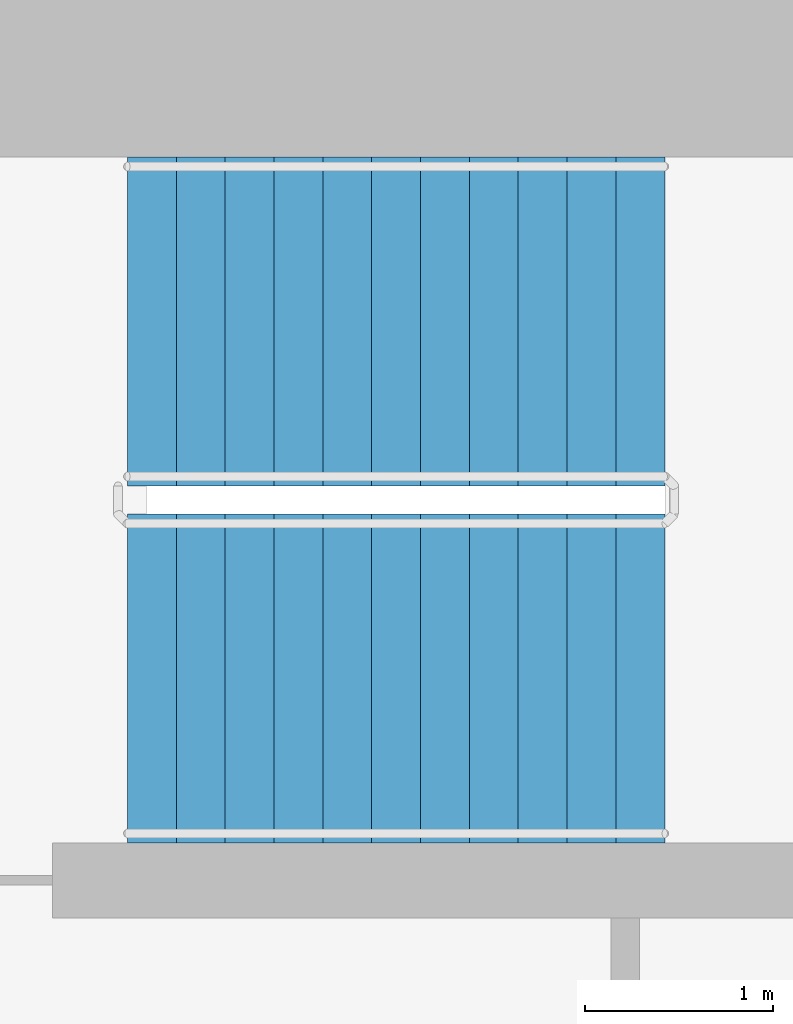
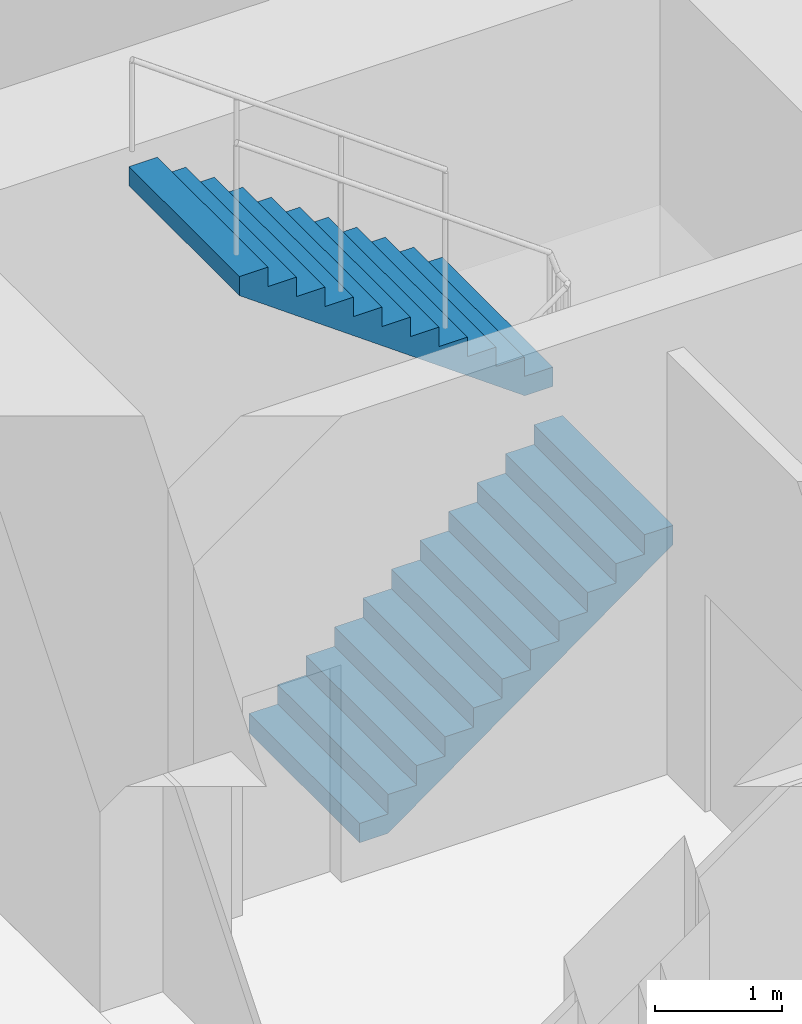
# One storey, part 33 of 49: 2 stair flights, 1 element without a shape of its own.
"""IFC4 building model written with IfcOpenShell, lengths in metres."""

import ifcopenshell
import ifcopenshell.guid

model = None  # the IFC model being written
_history = None  # IfcOwnerHistory: only IFC2X3 demands one
_inside = {}  # id of a spatial element -> (the spatial element, [elements in it])
_under = {}  # id of a project, library or spatial element -> (it, [spatial elements below it])
_declared = {}  # id of a project -> (the project, [libraries it declares])
_typed = {}  # id of a type object -> (the type object, [elements of that type])
_made_of = {}  # id of a material, layer set ... -> (it, [elements and type objects made of it])


def new_model(schema):
    """Start an empty IFC model of exactly this schema.

    Asked for "IFC4X3", IfcOpenShell would pick the latest addendum, in which some entities
    have other attributes; the version numbers below select the first issue.
    IFC2X3 requires an IfcOwnerHistory on every rooted entity: one is made here for all.
    """
    global model, _history
    if schema == "IFC4X3":
        model = ifcopenshell.file(schema_version=(4, 3, 0, 0))
    else:
        model = ifcopenshell.file(schema=schema)
    _inside.clear()
    _under.clear()
    _declared.clear()
    _typed.clear()
    _made_of.clear()
    _history = None
    if model.schema == "IFC2X3":
        org = make("IfcOrganization", Name="unknown")
        user = make(
            "IfcPersonAndOrganization",
            ThePerson=make("IfcPerson", FamilyName="unknown"),
            TheOrganization=org,
        )
        app = make(
            "IfcApplication",
            ApplicationDeveloper=org,
            Version="unknown",
            ApplicationFullName="unknown",
            ApplicationIdentifier="unknown",
        )
        _history = make(
            "IfcOwnerHistory",
            OwningUser=user,
            OwningApplication=app,
            ChangeAction="ADDED",
            CreationDate=0,
        )
    return model


def make(cls, **values):
    """One entity of the class cls with the attributes given. An attribute that is None is left unset."""
    return model.create_entity(
        cls, **{name: value for name, value in values.items() if value is not None}
    )


def rooted(cls, **values):
    """An entity with a GlobalId (a new one), such as an element, a storey or a relation."""
    return make(cls, GlobalId=ifcopenshell.guid.new(), OwnerHistory=_history, **values)


def si_unit(unit_type, name, prefix=None):
    """IfcSIUnit, for example si_unit("LENGTHUNIT", "METRE", prefix="MILLI")."""
    return make("IfcSIUnit", UnitType=unit_type, Prefix=prefix, Name=name)


def assignment(units):
    """IfcUnitAssignment: the units of a project."""
    return None if units is None else make("IfcUnitAssignment", Units=units)


def point(xyz):
    """IfcCartesianPoint."""
    return None if xyz is None else make("IfcCartesianPoint", Coordinates=xyz)


def direction(xyz):
    """IfcDirection."""
    return None if xyz is None else make("IfcDirection", DirectionRatios=xyz)


def frame(location, z_axis=None, x_axis=None):
    """IfcAxis2Placement3D, a coordinate frame: its origin and axes. An axis left out is left unset."""
    return make(
        "IfcAxis2Placement3D",
        Location=point(location),
        Axis=direction(z_axis),
        RefDirection=direction(x_axis),
    )


def origin():
    """The frame at (0, 0, 0) with its axes left unset."""
    return frame((0.0, 0.0, 0.0))


def place(relative_to, where):
    """IfcLocalPlacement: puts the frame where relative to a parent placement (None: the world)."""
    return make(
        "IfcLocalPlacement", PlacementRelTo=relative_to, RelativePlacement=where
    )


def context(
    kind, dimensions, precision=None, world=None, true_north=None, identifier=None
):
    """IfcGeometricRepresentationContext, for example the 3D "Model" context."""
    return make(
        "IfcGeometricRepresentationContext",
        ContextIdentifier=identifier,
        ContextType=kind,
        CoordinateSpaceDimension=dimensions,
        Precision=precision,
        WorldCoordinateSystem=world,
        TrueNorth=true_north,
    )


def subcontext(parent, identifier, kind, view, scale=None):
    """IfcGeometricRepresentationSubContext, for example "Body" below "Model"."""
    return make(
        "IfcGeometricRepresentationSubContext",
        ContextIdentifier=identifier,
        ContextType=kind,
        ParentContext=parent,
        TargetScale=scale,
        TargetView=view,
    )


def project(units=None, contexts=None):
    """IfcProject with its units and contexts."""
    return rooted(
        "IfcProject",
        Name="project",
        RepresentationContexts=contexts,
        UnitsInContext=assignment(units),
    )


def spatial(cls, under=None, at=None, **own):
    """A site, building, storey or space (cls), placed at a placement, below another one or the project."""
    s = rooted(cls, ObjectPlacement=at, **own)
    if under is not None:
        _under.setdefault(under.id(), (under, []))[1].append(s)
    return s


def faces_of(points, faces, orient=None, outer=None):
    """IfcFace entities. A face is a list of loops; a loop is a list of indices into points, from 0.

    orient and outer hold one flag for each loop. By default every Orientation is true, the
    first loop of a face is its IfcFaceOuterBound and the others are IfcFaceBound.
    """
    made = []
    for i, loops in enumerate(faces):
        bounds = []
        for j, loop in enumerate(loops):
            is_outer = j == 0 if outer is None else outer[i][j]
            bounds.append(
                make(
                    "IfcFaceOuterBound" if is_outer else "IfcFaceBound",
                    Bound=make("IfcPolyLoop", Polygon=[points[k] for k in loop]),
                    Orientation=True if orient is None else orient[i][j],
                )
            )
        made.append(make("IfcFace", Bounds=bounds))
    return made


def faceted_brep(points, faces, orient=None, outer=None, voids=None):
    """IfcFacetedBrep: a solid bounded by flat faces; with voids (closed shells), ...WithVoids."""
    shared = [point(p) for p in points]
    hull = make("IfcClosedShell", CfsFaces=faces_of(shared, faces, orient, outer))
    if voids is None:
        return make("IfcFacetedBrep", Outer=hull)
    return make(
        "IfcFacetedBrepWithVoids",
        Outer=hull,
        Voids=[
            make(cls, CfsFaces=faces_of(shared, fs, o, b)) for cls, fs, o, b in voids
        ],
    )


def shape(context_of_items, identifier, shape_type, items):
    """IfcShapeRepresentation: the items that make up one representation, for example the "Body"."""
    return make(
        "IfcShapeRepresentation",
        ContextOfItems=context_of_items,
        RepresentationIdentifier=identifier,
        RepresentationType=shape_type,
        Items=items,
    )


def material(Name=None, Category=None):
    """IfcMaterial."""
    return make("IfcMaterial", Name=Name, Category=Category)


def made_of(thing, what):
    """Note that an element or type object is made of a material, layer set ...; save() writes the relation."""
    if what is not None:
        _made_of.setdefault(what.id(), (what, []))[1].append(thing)
    return thing


def type_object(cls, material=None, **own):
    """A type object (cls), such as IfcWallType, which elements share."""
    return made_of(rooted(cls, **own), material)


def element(
    cls,
    number,
    at=None,
    inside=None,
    cuts=None,
    type_object=None,
    material=None,
    context=None,
    identifier="Body",
    shape_type=None,
    held_by="IfcProductDefinitionShape",
    body=None,
    shapes=None,
    **own,
):
    """One element of the class cls, such as IfcWall. Its Tag is "e" and its number.

    at: its placement. inside: the storey or other place that contains it. cuts: it is an
    opening in that element (IfcRelVoidsElement). A single representation is given by context,
    identifier, shape_type and body (its items); several are given by shapes. held_by: the class
    of the entity that holds the representations. save() writes the other relations.
    """
    e = rooted(cls, Tag="e%d" % number, ObjectPlacement=at, **own)
    if body is not None:
        shapes = [shape(context, identifier, shape_type, body)]
    if shapes is not None:
        e.Representation = make(held_by, Representations=shapes)
    if inside is not None:
        _inside.setdefault(inside.id(), (inside, []))[1].append(e)
    if cuts is not None:
        rooted(
            "IfcRelVoidsElement", RelatingBuildingElement=cuts, RelatedOpeningElement=e
        )
    if type_object is not None:
        _typed.setdefault(type_object.id(), (type_object, []))[1].append(e)
    return made_of(e, material)


def aggregate(whole, parts):
    """IfcRelAggregates: a whole, such as a stair, and the parts it consists of."""
    return rooted("IfcRelAggregates", RelatingObject=whole, RelatedObjects=parts)


def save(model, path):
    """Write the relations noted so far, then the file.

    IfcRelAggregates (storeys below a building ...), IfcRelContainedInSpatialStructure (elements
    in a storey), IfcRelDefinesByType, IfcRelAssociatesMaterial and IfcRelDeclares: one each for
    every whole, place, type object, material and project.
    """
    for whole, parts in _under.values():
        aggregate(whole, parts)
    for where, things in _inside.values():
        rooted(
            "IfcRelContainedInSpatialStructure",
            RelatedElements=things,
            RelatingStructure=where,
        )
    for kind, things in _typed.values():
        rooted("IfcRelDefinesByType", RelatedObjects=things, RelatingType=kind)
    for what, things in _made_of.values():
        rooted("IfcRelAssociatesMaterial", RelatedObjects=things, RelatingMaterial=what)
    for by, libraries in _declared.values():
        rooted("IfcRelDeclares", RelatingContext=by, RelatedDefinitions=libraries)
    model.write(path)


model = new_model("IFC4")

# Units and contexts
model_context = context("Model", 3, precision=1e-05, world=origin(), true_north=direction((0.0, 1.0)))
body_context = subcontext(model_context, "Body", "Model", "MODEL_VIEW")
ifc_project = project(units=[si_unit("LENGTHUNIT", "METRE"), si_unit("AREAUNIT", "SQUARE_METRE"), si_unit("VOLUMEUNIT", "CUBIC_METRE"), si_unit("PLANEANGLEUNIT", "RADIAN"), si_unit("MASSUNIT", "GRAM", prefix="KILO")], contexts=[model_context])

# Site, building, storey
site_placement = place(None, origin())
site = spatial("IfcSite", under=ifc_project, at=site_placement, CompositionType="ELEMENT")
building_placement = place(site_placement, origin())
building = spatial("IfcBuilding", under=site, at=building_placement, Name="Ipe Terrace Towers", CompositionType="ELEMENT")
storey_placement = place(building_placement, frame((0.0, 0.0, 20.0)))
storey = spatial("IfcBuildingStorey", under=building, at=storey_placement, Name="L04", CompositionType="ELEMENT", Elevation=20.0)

# Stair, stair flights
ifc_material_1 = material(Name="Concrete C30/37", Category="concrete")
stair_type = type_object("IfcStairType", Name="Protected exit stair", PredefinedType="HALF_TURN_STAIR", material=ifc_material_1)
stair_placement = place(storey_placement, origin())
stair = element("IfcStair", 1, at=stair_placement, inside=storey, type_object=stair_type, Name="L04 Exit stair T1-C1", PredefinedType="HALF_TURN_STAIR")
ifc_material_2 = material(Name="Concrete C30/37", Category="concrete")
stair_flight_type = type_object("IfcStairFlightType", Name="Exit stair flight 1750", PredefinedType="STRAIGHT", material=ifc_material_2)
stair_flight_1_placement = place(storey_placement, frame((-26.300048828125, 2.77490234375, 0.0), z_axis=(0.0, 0.0, 1.0), x_axis=(1.0, 0.0, 0.0)))
stair_flight_1 = element("IfcStairFlight", 2, at=stair_flight_1_placement, type_object=stair_flight_type, Name="T1-ST1 flight 1", NumberOfRisers=12, NumberOfTreads=11, PredefinedType="STRAIGHT", RiserHeight=0.1875, TreadLength=0.26, context=body_context, shape_type="Brep", body=[
    faceted_brep([(0.25634765625, -0.875, 0.0), (2.860107421875, -0.875, 1.877685546875), (2.860107421875, -0.875, 2.0625), (2.60009765625, -0.875, 2.0625), (2.60009765625, -0.875, 1.875), (2.340087890625, -0.875, 1.875), (2.340087890625, -0.875, 1.6875), (2.080078125, -0.875, 1.6875), (2.080078125, -0.875, 1.5), (1.820068359375, -0.875, 1.5), (1.820068359375, -0.875, 1.3125), (1.56005859375, -0.875, 1.3125), (1.56005859375, -0.875, 1.125), (1.300048828125, -0.875, 1.125), (1.300048828125, -0.875, 0.9375), (1.0400390625, -0.875, 0.9375), (1.0400390625, -0.875, 0.75), (0.780029296875, -0.875, 0.75), (0.780029296875, -0.875, 0.5625), (0.52001953125, -0.875, 0.5625), (0.52001953125, -0.875, 0.375), (0.260009765625, -0.875, 0.375), (0.260009765625, -0.875, 0.1875), (0.0, -0.875, 0.1875), (0.0, -0.875, 0.0), (0.0, 0.875, 0.0), (0.0, 0.875, 0.1875), (0.260009765625, 0.875, 0.1875), (0.260009765625, 0.875, 0.375), (0.52001953125, 0.875, 0.375), (0.52001953125, 0.875, 0.5625), (0.780029296875, 0.875, 0.5625), (0.780029296875, 0.875, 0.75), (1.0400390625, 0.875, 0.75), (1.0400390625, 0.875, 0.9375), (1.300048828125, 0.875, 0.9375), (1.300048828125, 0.875, 1.125), (1.56005859375, 0.875, 1.125), (1.56005859375, 0.875, 1.3125), (1.820068359375, 0.875, 1.3125), (1.820068359375, 0.875, 1.5), (2.080078125, 0.875, 1.5), (2.080078125, 0.875, 1.6875), (2.340087890625, 0.875, 1.6875), (2.340087890625, 0.875, 1.875), (2.60009765625, 0.875, 1.875), (2.60009765625, 0.875, 2.0625), (2.860107421875, 0.875, 2.0625), (2.860107421875, 0.875, 1.877685546875), (0.25634765625, 0.875, 0.0), (0.0, -0.300048828125, 0.1875), (0.0, -0.1201171875, 0.1875), (0.0, -0.06005859375, 0.1875), (0.0, -0.030029296875, 0.1875), (0.0, -0.010009765625, 0.1875), (0.0, 0.0, 0.1875), (0.0, 0.010009765625, 0.1875), (0.0, 0.030029296875, 0.1875), (0.0, 0.06005859375, 0.1875), (0.0, 0.1201171875, 0.1875), (0.0, 0.300048828125, 0.1875), (0.0, 0.300048828125, 0.0), (0.0, 0.1201171875, 0.0), (0.0, 0.06005859375, 0.0), (0.0, 0.030029296875, 0.0), (0.0, 0.010009765625, 0.0), (0.0, 0.0, 0.0), (0.0, -0.010009765625, 0.0), (0.0, -0.030029296875, 0.0), (0.0, -0.06005859375, 0.0), (0.0, -0.1201171875, 0.0), (0.0, -0.300048828125, 0.0), (0.260009765625, -0.300048828125, 0.1875), (0.260009765625, -0.1201171875, 0.1875), (0.260009765625, -0.06005859375, 0.1875), (0.260009765625, -0.030029296875, 0.1875), (0.260009765625, -0.010009765625, 0.1875), (0.260009765625, 0.0, 0.1875), (0.260009765625, 0.010009765625, 0.1875), (0.260009765625, 0.030029296875, 0.1875), (0.260009765625, 0.06005859375, 0.1875), (0.260009765625, 0.1201171875, 0.1875), (0.260009765625, 0.300048828125, 0.1875), (0.260009765625, -0.300048828125, 0.375), (0.260009765625, -0.1201171875, 0.375), (0.260009765625, -0.06005859375, 0.375), (0.260009765625, -0.030029296875, 0.375), (0.260009765625, -0.010009765625, 0.375), (0.260009765625, 0.0, 0.375), (0.260009765625, 0.010009765625, 0.375), (0.260009765625, 0.030029296875, 0.375), (0.260009765625, 0.06005859375, 0.375), (0.260009765625, 0.1201171875, 0.375), (0.260009765625, 0.300048828125, 0.375), (0.52001953125, -0.300048828125, 0.375), (0.52001953125, -0.1201171875, 0.375), (0.52001953125, -0.06005859375, 0.375), (0.52001953125, -0.030029296875, 0.375), (0.52001953125, -0.010009765625, 0.375), (0.52001953125, 0.0, 0.375), (0.52001953125, 0.010009765625, 0.375), (0.52001953125, 0.030029296875, 0.375), (0.52001953125, 0.06005859375, 0.375), (0.52001953125, 0.1201171875, 0.375), (0.52001953125, 0.300048828125, 0.375), (0.52001953125, -0.300048828125, 0.5625), (0.52001953125, -0.1201171875, 0.5625), (0.52001953125, -0.06005859375, 0.5625), (0.52001953125, -0.030029296875, 0.5625), (0.52001953125, -0.010009765625, 0.5625), (0.52001953125, 0.0, 0.5625), (0.52001953125, 0.010009765625, 0.5625), (0.52001953125, 0.030029296875, 0.5625), (0.52001953125, 0.06005859375, 0.5625), (0.52001953125, 0.1201171875, 0.5625), (0.52001953125, 0.300048828125, 0.5625), (0.780029296875, -0.300048828125, 0.5625), (0.780029296875, -0.1201171875, 0.5625), (0.780029296875, -0.06005859375, 0.5625), (0.780029296875, -0.030029296875, 0.5625), (0.780029296875, -0.010009765625, 0.5625), (0.780029296875, 0.0, 0.5625), (0.780029296875, 0.010009765625, 0.5625), (0.780029296875, 0.030029296875, 0.5625), (0.780029296875, 0.06005859375, 0.5625), (0.780029296875, 0.1201171875, 0.5625), (0.780029296875, 0.300048828125, 0.5625), (0.780029296875, -0.300048828125, 0.75), (0.780029296875, -0.1201171875, 0.75), (0.780029296875, -0.06005859375, 0.75), (0.780029296875, -0.030029296875, 0.75), (0.780029296875, -0.010009765625, 0.75), (0.780029296875, 0.0, 0.75), (0.780029296875, 0.010009765625, 0.75), (0.780029296875, 0.030029296875, 0.75), (0.780029296875, 0.06005859375, 0.75), (0.780029296875, 0.1201171875, 0.75), (0.780029296875, 0.300048828125, 0.75), (1.0400390625, -0.300048828125, 0.75), (1.0400390625, -0.1201171875, 0.75), (1.0400390625, -0.06005859375, 0.75), (1.0400390625, -0.030029296875, 0.75), (1.0400390625, -0.010009765625, 0.75), (1.0400390625, 0.0, 0.75), (1.0400390625, 0.010009765625, 0.75), (1.0400390625, 0.030029296875, 0.75), (1.0400390625, 0.06005859375, 0.75), (1.0400390625, 0.1201171875, 0.75), (1.0400390625, 0.300048828125, 0.75), (1.0400390625, -0.300048828125, 0.9375), (1.0400390625, -0.1201171875, 0.9375), (1.0400390625, -0.06005859375, 0.9375), (1.0400390625, -0.030029296875, 0.9375), (1.0400390625, -0.010009765625, 0.9375), (1.0400390625, 0.0, 0.9375), (1.0400390625, 0.010009765625, 0.9375), (1.0400390625, 0.030029296875, 0.9375), (1.0400390625, 0.06005859375, 0.9375), (1.0400390625, 0.1201171875, 0.9375), (1.0400390625, 0.300048828125, 0.9375), (1.300048828125, -0.300048828125, 0.9375), (1.300048828125, -0.1201171875, 0.9375), (1.300048828125, -0.06005859375, 0.9375), (1.300048828125, -0.030029296875, 0.9375), (1.300048828125, -0.010009765625, 0.9375), (1.300048828125, 0.0, 0.9375), (1.300048828125, 0.010009765625, 0.9375), (1.300048828125, 0.030029296875, 0.9375), (1.300048828125, 0.06005859375, 0.9375), (1.300048828125, 0.1201171875, 0.9375), (1.300048828125, 0.300048828125, 0.9375), (1.300048828125, -0.300048828125, 1.125), (1.300048828125, -0.1201171875, 1.125), (1.300048828125, -0.06005859375, 1.125), (1.300048828125, -0.030029296875, 1.125), (1.300048828125, -0.010009765625, 1.125), (1.300048828125, 0.0, 1.125), (1.300048828125, 0.010009765625, 1.125), (1.300048828125, 0.030029296875, 1.125), (1.300048828125, 0.06005859375, 1.125), (1.300048828125, 0.1201171875, 1.125), (1.300048828125, 0.300048828125, 1.125), (1.56005859375, -0.300048828125, 1.125), (1.56005859375, -0.1201171875, 1.125), (1.56005859375, -0.06005859375, 1.125), (1.56005859375, -0.030029296875, 1.125), (1.56005859375, -0.010009765625, 1.125), (1.56005859375, 0.0, 1.125), (1.56005859375, 0.010009765625, 1.125), (1.56005859375, 0.030029296875, 1.125), (1.56005859375, 0.06005859375, 1.125), (1.56005859375, 0.1201171875, 1.125), (1.56005859375, 0.300048828125, 1.125), (1.56005859375, -0.300048828125, 1.3125), (1.56005859375, -0.1201171875, 1.3125), (1.56005859375, -0.06005859375, 1.3125), (1.56005859375, -0.030029296875, 1.3125), (1.56005859375, -0.010009765625, 1.3125), (1.56005859375, 0.0, 1.3125), (1.56005859375, 0.010009765625, 1.3125), (1.56005859375, 0.030029296875, 1.3125), (1.56005859375, 0.06005859375, 1.3125), (1.56005859375, 0.1201171875, 1.3125), (1.56005859375, 0.300048828125, 1.3125), (1.820068359375, -0.300048828125, 1.3125), (1.820068359375, -0.1201171875, 1.3125), (1.820068359375, -0.06005859375, 1.3125), (1.820068359375, -0.030029296875, 1.3125), (1.820068359375, -0.010009765625, 1.3125), (1.820068359375, 0.0, 1.3125), (1.820068359375, 0.010009765625, 1.3125), (1.820068359375, 0.030029296875, 1.3125), (1.820068359375, 0.06005859375, 1.3125), (1.820068359375, 0.1201171875, 1.3125), (1.820068359375, 0.300048828125, 1.3125), (1.820068359375, -0.300048828125, 1.5), (1.820068359375, -0.1201171875, 1.5), (1.820068359375, -0.06005859375, 1.5), (1.820068359375, -0.030029296875, 1.5), (1.820068359375, -0.010009765625, 1.5), (1.820068359375, 0.0, 1.5), (1.820068359375, 0.010009765625, 1.5), (1.820068359375, 0.030029296875, 1.5), (1.820068359375, 0.06005859375, 1.5), (1.820068359375, 0.1201171875, 1.5), (1.820068359375, 0.300048828125, 1.5), (2.080078125, -0.300048828125, 1.5), (2.080078125, -0.1201171875, 1.5), (2.080078125, -0.06005859375, 1.5), (2.080078125, -0.030029296875, 1.5), (2.080078125, -0.010009765625, 1.5), (2.080078125, 0.0, 1.5), (2.080078125, 0.010009765625, 1.5), (2.080078125, 0.030029296875, 1.5), (2.080078125, 0.06005859375, 1.5), (2.080078125, 0.1201171875, 1.5), (2.080078125, 0.300048828125, 1.5), (2.080078125, -0.300048828125, 1.6875), (2.080078125, -0.1201171875, 1.6875), (2.080078125, -0.06005859375, 1.6875), (2.080078125, -0.030029296875, 1.6875), (2.080078125, -0.010009765625, 1.6875), (2.080078125, 0.0, 1.6875), (2.080078125, 0.010009765625, 1.6875), (2.080078125, 0.030029296875, 1.6875), (2.080078125, 0.06005859375, 1.6875), (2.080078125, 0.1201171875, 1.6875), (2.080078125, 0.300048828125, 1.6875), (2.340087890625, -0.300048828125, 1.6875), (2.340087890625, -0.1201171875, 1.6875), (2.340087890625, -0.06005859375, 1.6875), (2.340087890625, -0.030029296875, 1.6875), (2.340087890625, -0.010009765625, 1.6875), (2.340087890625, 0.0, 1.6875), (2.340087890625, 0.010009765625, 1.6875), (2.340087890625, 0.030029296875, 1.6875), (2.340087890625, 0.06005859375, 1.6875), (2.340087890625, 0.1201171875, 1.6875), (2.340087890625, 0.300048828125, 1.6875), (2.340087890625, -0.300048828125, 1.875), (2.340087890625, -0.1201171875, 1.875), (2.340087890625, -0.06005859375, 1.875), (2.340087890625, -0.030029296875, 1.875), (2.340087890625, -0.010009765625, 1.875), (2.340087890625, 0.0, 1.875), (2.340087890625, 0.010009765625, 1.875), (2.340087890625, 0.030029296875, 1.875), (2.340087890625, 0.06005859375, 1.875), (2.340087890625, 0.1201171875, 1.875), (2.340087890625, 0.300048828125, 1.875), (2.60009765625, -0.300048828125, 1.875), (2.60009765625, -0.1201171875, 1.875), (2.60009765625, -0.06005859375, 1.875), (2.60009765625, -0.030029296875, 1.875), (2.60009765625, -0.010009765625, 1.875), (2.60009765625, 0.0, 1.875), (2.60009765625, 0.010009765625, 1.875), (2.60009765625, 0.030029296875, 1.875), (2.60009765625, 0.06005859375, 1.875), (2.60009765625, 0.1201171875, 1.875), (2.60009765625, 0.300048828125, 1.875), (2.60009765625, -0.300048828125, 2.0625), (2.60009765625, -0.1201171875, 2.0625), (2.60009765625, -0.06005859375, 2.0625), (2.60009765625, -0.030029296875, 2.0625), (2.60009765625, -0.010009765625, 2.0625), (2.60009765625, 0.0, 2.0625), (2.60009765625, 0.010009765625, 2.0625), (2.60009765625, 0.030029296875, 2.0625), (2.60009765625, 0.06005859375, 2.0625), (2.60009765625, 0.1201171875, 2.0625), (2.60009765625, 0.300048828125, 2.0625), (2.860107421875, -0.300048828125, 2.0625), (2.860107421875, -0.1201171875, 2.0625), (2.860107421875, -0.06005859375, 2.0625), (2.860107421875, -0.030029296875, 2.0625), (2.860107421875, -0.010009765625, 2.0625), (2.860107421875, 0.0, 2.0625), (2.860107421875, 0.010009765625, 2.0625), (2.860107421875, 0.030029296875, 2.0625), (2.860107421875, 0.06005859375, 2.0625), (2.860107421875, 0.1201171875, 2.0625), (2.860107421875, 0.300048828125, 2.0625), (2.860107421875, -0.300048828125, 1.877685546875), (2.860107421875, -0.1201171875, 1.877685546875), (2.860107421875, -0.06005859375, 1.877685546875), (2.860107421875, -0.030029296875, 1.877685546875), (2.860107421875, -0.010009765625, 1.877685546875), (2.860107421875, 0.0, 1.877685546875), (2.860107421875, 0.010009765625, 1.877685546875), (2.860107421875, 0.030029296875, 1.877685546875), (2.860107421875, 0.06005859375, 1.877685546875), (2.860107421875, 0.1201171875, 1.877685546875), (2.860107421875, 0.300048828125, 1.877685546875), (0.25634765625, -0.300048828125, 0.0), (0.25634765625, -0.1201171875, 0.0), (0.25634765625, -0.06005859375, 0.0), (0.25634765625, -0.030029296875, 0.0), (0.25634765625, -0.010009765625, 0.0), (0.25634765625, 0.0, 0.0), (0.25634765625, 0.010009765625, 0.0), (0.25634765625, 0.030029296875, 0.0), (0.25634765625, 0.06005859375, 0.0), (0.25634765625, 0.1201171875, 0.0), (0.25634765625, 0.300048828125, 0.0)], [[[0, 1, 2, 3, 4, 5, 6, 7, 8, 9, 10, 11, 12, 13, 14, 15, 16, 17, 18, 19, 20, 21, 22, 23, 24]], [[25, 26, 27, 28, 29, 30, 31, 32, 33, 34, 35, 36, 37, 38, 39, 40, 41, 42, 43, 44, 45, 46, 47, 48, 49]], [[23, 50, 51, 52, 53, 54, 55, 56, 57, 58, 59, 60, 26, 25, 61, 62, 63, 64, 65, 66, 67, 68, 69, 70, 71, 24]], [[22, 72, 73, 74, 75, 76, 77, 78, 79, 80, 81, 82, 27, 26, 60, 59, 58, 57, 56, 55, 54, 53, 52, 51, 50, 23]], [[21, 83, 84, 85, 86, 87, 88, 89, 90, 91, 92, 93, 28, 27, 82, 81, 80, 79, 78, 77, 76, 75, 74, 73, 72, 22]], [[20, 94, 95, 96, 97, 98, 99, 100, 101, 102, 103, 104, 29, 28, 93, 92, 91, 90, 89, 88, 87, 86, 85, 84, 83, 21]], [[19, 105, 106, 107, 108, 109, 110, 111, 112, 113, 114, 115, 30, 29, 104, 103, 102, 101, 100, 99, 98, 97, 96, 95, 94, 20]], [[18, 116, 117, 118, 119, 120, 121, 122, 123, 124, 125, 126, 31, 30, 115, 114, 113, 112, 111, 110, 109, 108, 107, 106, 105, 19]], [[17, 127, 128, 129, 130, 131, 132, 133, 134, 135, 136, 137, 32, 31, 126, 125, 124, 123, 122, 121, 120, 119, 118, 117, 116, 18]], [[16, 138, 139, 140, 141, 142, 143, 144, 145, 146, 147, 148, 33, 32, 137, 136, 135, 134, 133, 132, 131, 130, 129, 128, 127, 17]], [[15, 149, 150, 151, 152, 153, 154, 155, 156, 157, 158, 159, 34, 33, 148, 147, 146, 145, 144, 143, 142, 141, 140, 139, 138, 16]], [[14, 160, 161, 162, 163, 164, 165, 166, 167, 168, 169, 170, 35, 34, 159, 158, 157, 156, 155, 154, 153, 152, 151, 150, 149, 15]], [[13, 171, 172, 173, 174, 175, 176, 177, 178, 179, 180, 181, 36, 35, 170, 169, 168, 167, 166, 165, 164, 163, 162, 161, 160, 14]], [[12, 182, 183, 184, 185, 186, 187, 188, 189, 190, 191, 192, 37, 36, 181, 180, 179, 178, 177, 176, 175, 174, 173, 172, 171, 13]], [[11, 193, 194, 195, 196, 197, 198, 199, 200, 201, 202, 203, 38, 37, 192, 191, 190, 189, 188, 187, 186, 185, 184, 183, 182, 12]], [[10, 204, 205, 206, 207, 208, 209, 210, 211, 212, 213, 214, 39, 38, 203, 202, 201, 200, 199, 198, 197, 196, 195, 194, 193, 11]], [[9, 215, 216, 217, 218, 219, 220, 221, 222, 223, 224, 225, 40, 39, 214, 213, 212, 211, 210, 209, 208, 207, 206, 205, 204, 10]], [[8, 226, 227, 228, 229, 230, 231, 232, 233, 234, 235, 236, 41, 40, 225, 224, 223, 222, 221, 220, 219, 218, 217, 216, 215, 9]], [[7, 237, 238, 239, 240, 241, 242, 243, 244, 245, 246, 247, 42, 41, 236, 235, 234, 233, 232, 231, 230, 229, 228, 227, 226, 8]], [[6, 248, 249, 250, 251, 252, 253, 254, 255, 256, 257, 258, 43, 42, 247, 246, 245, 244, 243, 242, 241, 240, 239, 238, 237, 7]], [[5, 259, 260, 261, 262, 263, 264, 265, 266, 267, 268, 269, 44, 43, 258, 257, 256, 255, 254, 253, 252, 251, 250, 249, 248, 6]], [[4, 270, 271, 272, 273, 274, 275, 276, 277, 278, 279, 280, 45, 44, 269, 268, 267, 266, 265, 264, 263, 262, 261, 260, 259, 5]], [[3, 281, 282, 283, 284, 285, 286, 287, 288, 289, 290, 291, 46, 45, 280, 279, 278, 277, 276, 275, 274, 273, 272, 271, 270, 4]], [[2, 292, 293, 294, 295, 296, 297, 298, 299, 300, 301, 302, 47, 46, 291, 290, 289, 288, 287, 286, 285, 284, 283, 282, 281, 3]], [[1, 303, 304, 305, 306, 307, 308, 309, 310, 311, 312, 313, 48, 47, 302, 301, 300, 299, 298, 297, 296, 295, 294, 293, 292, 2]], [[0, 314, 315, 316, 317, 318, 319, 320, 321, 322, 323, 324, 49, 48, 313, 312, 311, 310, 309, 308, 307, 306, 305, 304, 303, 1]], [[24, 71, 70, 69, 68, 67, 66, 65, 64, 63, 62, 61, 25, 49, 324, 323, 322, 321, 320, 319, 318, 317, 316, 315, 314, 0]]]),
])
stair_flight_2_placement = place(storey_placement, frame((-23.43994140625, 4.675048828125, 2.25), z_axis=(0.0, 0.0, 1.0), x_axis=(-1.0, 0.0, 0.0)))
stair_flight_2 = element("IfcStairFlight", 3, at=stair_flight_2_placement, type_object=stair_flight_type, Name="T1-ST1 flight 2", NumberOfRisers=12, NumberOfTreads=11, PredefinedType="STRAIGHT", RiserHeight=0.1875, TreadLength=0.26, context=body_context, shape_type="Brep", body=[
    faceted_brep([(0.25634765625, -0.875, 0.0), (2.860107421875, -0.875, 1.877685546875), (2.860107421875, -0.875, 2.0625), (2.60009765625, -0.875, 2.0625), (2.60009765625, -0.875, 1.875), (2.340087890625, -0.875, 1.875), (2.340087890625, -0.875, 1.6875), (2.080078125, -0.875, 1.6875), (2.080078125, -0.875, 1.5), (1.820068359375, -0.875, 1.5), (1.820068359375, -0.875, 1.3125), (1.56005859375, -0.875, 1.3125), (1.56005859375, -0.875, 1.125), (1.300048828125, -0.875, 1.125), (1.300048828125, -0.875, 0.9375), (1.0400390625, -0.875, 0.9375), (1.0400390625, -0.875, 0.75), (0.780029296875, -0.875, 0.75), (0.780029296875, -0.875, 0.5625), (0.52001953125, -0.875, 0.5625), (0.52001953125, -0.875, 0.375), (0.260009765625, -0.875, 0.375), (0.260009765625, -0.875, 0.1875), (0.0, -0.875, 0.1875), (0.0, -0.875, 0.0), (0.0, 0.875, 0.0), (0.0, 0.875, 0.1875), (0.260009765625, 0.875, 0.1875), (0.260009765625, 0.875, 0.375), (0.52001953125, 0.875, 0.375), (0.52001953125, 0.875, 0.5625), (0.780029296875, 0.875, 0.5625), (0.780029296875, 0.875, 0.75), (1.0400390625, 0.875, 0.75), (1.0400390625, 0.875, 0.9375), (1.300048828125, 0.875, 0.9375), (1.300048828125, 0.875, 1.125), (1.56005859375, 0.875, 1.125), (1.56005859375, 0.875, 1.3125), (1.820068359375, 0.875, 1.3125), (1.820068359375, 0.875, 1.5), (2.080078125, 0.875, 1.5), (2.080078125, 0.875, 1.6875), (2.340087890625, 0.875, 1.6875), (2.340087890625, 0.875, 1.875), (2.60009765625, 0.875, 1.875), (2.60009765625, 0.875, 2.0625), (2.860107421875, 0.875, 2.0625), (2.860107421875, 0.875, 1.877685546875), (0.25634765625, 0.875, 0.0), (0.0, -0.300048828125, 0.1875), (0.0, -0.1201171875, 0.1875), (0.0, -0.06005859375, 0.1875), (0.0, -0.030029296875, 0.1875), (0.0, -0.010009765625, 0.1875), (0.0, 0.0, 0.1875), (0.0, 0.010009765625, 0.1875), (0.0, 0.030029296875, 0.1875), (0.0, 0.06005859375, 0.1875), (0.0, 0.1201171875, 0.1875), (0.0, 0.300048828125, 0.1875), (0.0, 0.300048828125, 0.0), (0.0, 0.1201171875, 0.0), (0.0, 0.06005859375, 0.0), (0.0, 0.030029296875, 0.0), (0.0, 0.010009765625, 0.0), (0.0, 0.0, 0.0), (0.0, -0.010009765625, 0.0), (0.0, -0.030029296875, 0.0), (0.0, -0.06005859375, 0.0), (0.0, -0.1201171875, 0.0), (0.0, -0.300048828125, 0.0), (0.260009765625, -0.300048828125, 0.1875), (0.260009765625, -0.1201171875, 0.1875), (0.260009765625, -0.06005859375, 0.1875), (0.260009765625, -0.030029296875, 0.1875), (0.260009765625, -0.010009765625, 0.1875), (0.260009765625, 0.0, 0.1875), (0.260009765625, 0.010009765625, 0.1875), (0.260009765625, 0.030029296875, 0.1875), (0.260009765625, 0.06005859375, 0.1875), (0.260009765625, 0.1201171875, 0.1875), (0.260009765625, 0.300048828125, 0.1875), (0.260009765625, -0.300048828125, 0.375), (0.260009765625, -0.1201171875, 0.375), (0.260009765625, -0.06005859375, 0.375), (0.260009765625, -0.030029296875, 0.375), (0.260009765625, -0.010009765625, 0.375), (0.260009765625, 0.0, 0.375), (0.260009765625, 0.010009765625, 0.375), (0.260009765625, 0.030029296875, 0.375), (0.260009765625, 0.06005859375, 0.375), (0.260009765625, 0.1201171875, 0.375), (0.260009765625, 0.300048828125, 0.375), (0.52001953125, -0.300048828125, 0.375), (0.52001953125, -0.1201171875, 0.375), (0.52001953125, -0.06005859375, 0.375), (0.52001953125, -0.030029296875, 0.375), (0.52001953125, -0.010009765625, 0.375), (0.52001953125, 0.0, 0.375), (0.52001953125, 0.010009765625, 0.375), (0.52001953125, 0.030029296875, 0.375), (0.52001953125, 0.06005859375, 0.375), (0.52001953125, 0.1201171875, 0.375), (0.52001953125, 0.300048828125, 0.375), (0.52001953125, -0.300048828125, 0.5625), (0.52001953125, -0.1201171875, 0.5625), (0.52001953125, -0.06005859375, 0.5625), (0.52001953125, -0.030029296875, 0.5625), (0.52001953125, -0.010009765625, 0.5625), (0.52001953125, 0.0, 0.5625), (0.52001953125, 0.010009765625, 0.5625), (0.52001953125, 0.030029296875, 0.5625), (0.52001953125, 0.06005859375, 0.5625), (0.52001953125, 0.1201171875, 0.5625), (0.52001953125, 0.300048828125, 0.5625), (0.780029296875, -0.300048828125, 0.5625), (0.780029296875, -0.1201171875, 0.5625), (0.780029296875, -0.06005859375, 0.5625), (0.780029296875, -0.030029296875, 0.5625), (0.780029296875, -0.010009765625, 0.5625), (0.780029296875, 0.0, 0.5625), (0.780029296875, 0.010009765625, 0.5625), (0.780029296875, 0.030029296875, 0.5625), (0.780029296875, 0.06005859375, 0.5625), (0.780029296875, 0.1201171875, 0.5625), (0.780029296875, 0.300048828125, 0.5625), (0.780029296875, -0.300048828125, 0.75), (0.780029296875, -0.1201171875, 0.75), (0.780029296875, -0.06005859375, 0.75), (0.780029296875, -0.030029296875, 0.75), (0.780029296875, -0.010009765625, 0.75), (0.780029296875, 0.0, 0.75), (0.780029296875, 0.010009765625, 0.75), (0.780029296875, 0.030029296875, 0.75), (0.780029296875, 0.06005859375, 0.75), (0.780029296875, 0.1201171875, 0.75), (0.780029296875, 0.300048828125, 0.75), (1.0400390625, -0.300048828125, 0.75), (1.0400390625, -0.1201171875, 0.75), (1.0400390625, -0.06005859375, 0.75), (1.0400390625, -0.030029296875, 0.75), (1.0400390625, -0.010009765625, 0.75), (1.0400390625, 0.0, 0.75), (1.0400390625, 0.010009765625, 0.75), (1.0400390625, 0.030029296875, 0.75), (1.0400390625, 0.06005859375, 0.75), (1.0400390625, 0.1201171875, 0.75), (1.0400390625, 0.300048828125, 0.75), (1.0400390625, -0.300048828125, 0.9375), (1.0400390625, -0.1201171875, 0.9375), (1.0400390625, -0.06005859375, 0.9375), (1.0400390625, -0.030029296875, 0.9375), (1.0400390625, -0.010009765625, 0.9375), (1.0400390625, 0.0, 0.9375), (1.0400390625, 0.010009765625, 0.9375), (1.0400390625, 0.030029296875, 0.9375), (1.0400390625, 0.06005859375, 0.9375), (1.0400390625, 0.1201171875, 0.9375), (1.0400390625, 0.300048828125, 0.9375), (1.300048828125, -0.300048828125, 0.9375), (1.300048828125, -0.1201171875, 0.9375), (1.300048828125, -0.06005859375, 0.9375), (1.300048828125, -0.030029296875, 0.9375), (1.300048828125, -0.010009765625, 0.9375), (1.300048828125, 0.0, 0.9375), (1.300048828125, 0.010009765625, 0.9375), (1.300048828125, 0.030029296875, 0.9375), (1.300048828125, 0.06005859375, 0.9375), (1.300048828125, 0.1201171875, 0.9375), (1.300048828125, 0.300048828125, 0.9375), (1.300048828125, -0.300048828125, 1.125), (1.300048828125, -0.1201171875, 1.125), (1.300048828125, -0.06005859375, 1.125), (1.300048828125, -0.030029296875, 1.125), (1.300048828125, -0.010009765625, 1.125), (1.300048828125, 0.0, 1.125), (1.300048828125, 0.010009765625, 1.125), (1.300048828125, 0.030029296875, 1.125), (1.300048828125, 0.06005859375, 1.125), (1.300048828125, 0.1201171875, 1.125), (1.300048828125, 0.300048828125, 1.125), (1.56005859375, -0.300048828125, 1.125), (1.56005859375, -0.1201171875, 1.125), (1.56005859375, -0.06005859375, 1.125), (1.56005859375, -0.030029296875, 1.125), (1.56005859375, -0.010009765625, 1.125), (1.56005859375, 0.0, 1.125), (1.56005859375, 0.010009765625, 1.125), (1.56005859375, 0.030029296875, 1.125), (1.56005859375, 0.06005859375, 1.125), (1.56005859375, 0.1201171875, 1.125), (1.56005859375, 0.300048828125, 1.125), (1.56005859375, -0.300048828125, 1.3125), (1.56005859375, -0.1201171875, 1.3125), (1.56005859375, -0.06005859375, 1.3125), (1.56005859375, -0.030029296875, 1.3125), (1.56005859375, -0.010009765625, 1.3125), (1.56005859375, 0.0, 1.3125), (1.56005859375, 0.010009765625, 1.3125), (1.56005859375, 0.030029296875, 1.3125), (1.56005859375, 0.06005859375, 1.3125), (1.56005859375, 0.1201171875, 1.3125), (1.56005859375, 0.300048828125, 1.3125), (1.820068359375, -0.300048828125, 1.3125), (1.820068359375, -0.1201171875, 1.3125), (1.820068359375, -0.06005859375, 1.3125), (1.820068359375, -0.030029296875, 1.3125), (1.820068359375, -0.010009765625, 1.3125), (1.820068359375, 0.0, 1.3125), (1.820068359375, 0.010009765625, 1.3125), (1.820068359375, 0.030029296875, 1.3125), (1.820068359375, 0.06005859375, 1.3125), (1.820068359375, 0.1201171875, 1.3125), (1.820068359375, 0.300048828125, 1.3125), (1.820068359375, -0.300048828125, 1.5), (1.820068359375, -0.1201171875, 1.5), (1.820068359375, -0.06005859375, 1.5), (1.820068359375, -0.030029296875, 1.5), (1.820068359375, -0.010009765625, 1.5), (1.820068359375, 0.0, 1.5), (1.820068359375, 0.010009765625, 1.5), (1.820068359375, 0.030029296875, 1.5), (1.820068359375, 0.06005859375, 1.5), (1.820068359375, 0.1201171875, 1.5), (1.820068359375, 0.300048828125, 1.5), (2.080078125, -0.300048828125, 1.5), (2.080078125, -0.1201171875, 1.5), (2.080078125, -0.06005859375, 1.5), (2.080078125, -0.030029296875, 1.5), (2.080078125, -0.010009765625, 1.5), (2.080078125, 0.0, 1.5), (2.080078125, 0.010009765625, 1.5), (2.080078125, 0.030029296875, 1.5), (2.080078125, 0.06005859375, 1.5), (2.080078125, 0.1201171875, 1.5), (2.080078125, 0.300048828125, 1.5), (2.080078125, -0.300048828125, 1.6875), (2.080078125, -0.1201171875, 1.6875), (2.080078125, -0.06005859375, 1.6875), (2.080078125, -0.030029296875, 1.6875), (2.080078125, -0.010009765625, 1.6875), (2.080078125, 0.0, 1.6875), (2.080078125, 0.010009765625, 1.6875), (2.080078125, 0.030029296875, 1.6875), (2.080078125, 0.06005859375, 1.6875), (2.080078125, 0.1201171875, 1.6875), (2.080078125, 0.300048828125, 1.6875), (2.340087890625, -0.300048828125, 1.6875), (2.340087890625, -0.1201171875, 1.6875), (2.340087890625, -0.06005859375, 1.6875), (2.340087890625, -0.030029296875, 1.6875), (2.340087890625, -0.010009765625, 1.6875), (2.340087890625, 0.0, 1.6875), (2.340087890625, 0.010009765625, 1.6875), (2.340087890625, 0.030029296875, 1.6875), (2.340087890625, 0.06005859375, 1.6875), (2.340087890625, 0.1201171875, 1.6875), (2.340087890625, 0.300048828125, 1.6875), (2.340087890625, -0.300048828125, 1.875), (2.340087890625, -0.1201171875, 1.875), (2.340087890625, -0.06005859375, 1.875), (2.340087890625, -0.030029296875, 1.875), (2.340087890625, -0.010009765625, 1.875), (2.340087890625, 0.0, 1.875), (2.340087890625, 0.010009765625, 1.875), (2.340087890625, 0.030029296875, 1.875), (2.340087890625, 0.06005859375, 1.875), (2.340087890625, 0.1201171875, 1.875), (2.340087890625, 0.300048828125, 1.875), (2.60009765625, -0.300048828125, 1.875), (2.60009765625, -0.1201171875, 1.875), (2.60009765625, -0.06005859375, 1.875), (2.60009765625, -0.030029296875, 1.875), (2.60009765625, -0.010009765625, 1.875), (2.60009765625, 0.0, 1.875), (2.60009765625, 0.010009765625, 1.875), (2.60009765625, 0.030029296875, 1.875), (2.60009765625, 0.06005859375, 1.875), (2.60009765625, 0.1201171875, 1.875), (2.60009765625, 0.300048828125, 1.875), (2.60009765625, -0.300048828125, 2.0625), (2.60009765625, -0.1201171875, 2.0625), (2.60009765625, -0.06005859375, 2.0625), (2.60009765625, -0.030029296875, 2.0625), (2.60009765625, -0.010009765625, 2.0625), (2.60009765625, 0.0, 2.0625), (2.60009765625, 0.010009765625, 2.0625), (2.60009765625, 0.030029296875, 2.0625), (2.60009765625, 0.06005859375, 2.0625), (2.60009765625, 0.1201171875, 2.0625), (2.60009765625, 0.300048828125, 2.0625), (2.860107421875, -0.300048828125, 2.0625), (2.860107421875, -0.1201171875, 2.0625), (2.860107421875, -0.06005859375, 2.0625), (2.860107421875, -0.030029296875, 2.0625), (2.860107421875, -0.010009765625, 2.0625), (2.860107421875, 0.0, 2.0625), (2.860107421875, 0.010009765625, 2.0625), (2.860107421875, 0.030029296875, 2.0625), (2.860107421875, 0.06005859375, 2.0625), (2.860107421875, 0.1201171875, 2.0625), (2.860107421875, 0.300048828125, 2.0625), (2.860107421875, -0.300048828125, 1.877685546875), (2.860107421875, -0.1201171875, 1.877685546875), (2.860107421875, -0.06005859375, 1.877685546875), (2.860107421875, -0.030029296875, 1.877685546875), (2.860107421875, -0.010009765625, 1.877685546875), (2.860107421875, 0.0, 1.877685546875), (2.860107421875, 0.010009765625, 1.877685546875), (2.860107421875, 0.030029296875, 1.877685546875), (2.860107421875, 0.06005859375, 1.877685546875), (2.860107421875, 0.1201171875, 1.877685546875), (2.860107421875, 0.300048828125, 1.877685546875), (0.25634765625, -0.300048828125, 0.0), (0.25634765625, -0.1201171875, 0.0), (0.25634765625, -0.06005859375, 0.0), (0.25634765625, -0.030029296875, 0.0), (0.25634765625, -0.010009765625, 0.0), (0.25634765625, 0.0, 0.0), (0.25634765625, 0.010009765625, 0.0), (0.25634765625, 0.030029296875, 0.0), (0.25634765625, 0.06005859375, 0.0), (0.25634765625, 0.1201171875, 0.0), (0.25634765625, 0.300048828125, 0.0)], [[[0, 1, 2, 3, 4, 5, 6, 7, 8, 9, 10, 11, 12, 13, 14, 15, 16, 17, 18, 19, 20, 21, 22, 23, 24]], [[25, 26, 27, 28, 29, 30, 31, 32, 33, 34, 35, 36, 37, 38, 39, 40, 41, 42, 43, 44, 45, 46, 47, 48, 49]], [[23, 50, 51, 52, 53, 54, 55, 56, 57, 58, 59, 60, 26, 25, 61, 62, 63, 64, 65, 66, 67, 68, 69, 70, 71, 24]], [[22, 72, 73, 74, 75, 76, 77, 78, 79, 80, 81, 82, 27, 26, 60, 59, 58, 57, 56, 55, 54, 53, 52, 51, 50, 23]], [[21, 83, 84, 85, 86, 87, 88, 89, 90, 91, 92, 93, 28, 27, 82, 81, 80, 79, 78, 77, 76, 75, 74, 73, 72, 22]], [[20, 94, 95, 96, 97, 98, 99, 100, 101, 102, 103, 104, 29, 28, 93, 92, 91, 90, 89, 88, 87, 86, 85, 84, 83, 21]], [[19, 105, 106, 107, 108, 109, 110, 111, 112, 113, 114, 115, 30, 29, 104, 103, 102, 101, 100, 99, 98, 97, 96, 95, 94, 20]], [[18, 116, 117, 118, 119, 120, 121, 122, 123, 124, 125, 126, 31, 30, 115, 114, 113, 112, 111, 110, 109, 108, 107, 106, 105, 19]], [[17, 127, 128, 129, 130, 131, 132, 133, 134, 135, 136, 137, 32, 31, 126, 125, 124, 123, 122, 121, 120, 119, 118, 117, 116, 18]], [[16, 138, 139, 140, 141, 142, 143, 144, 145, 146, 147, 148, 33, 32, 137, 136, 135, 134, 133, 132, 131, 130, 129, 128, 127, 17]], [[15, 149, 150, 151, 152, 153, 154, 155, 156, 157, 158, 159, 34, 33, 148, 147, 146, 145, 144, 143, 142, 141, 140, 139, 138, 16]], [[14, 160, 161, 162, 163, 164, 165, 166, 167, 168, 169, 170, 35, 34, 159, 158, 157, 156, 155, 154, 153, 152, 151, 150, 149, 15]], [[13, 171, 172, 173, 174, 175, 176, 177, 178, 179, 180, 181, 36, 35, 170, 169, 168, 167, 166, 165, 164, 163, 162, 161, 160, 14]], [[12, 182, 183, 184, 185, 186, 187, 188, 189, 190, 191, 192, 37, 36, 181, 180, 179, 178, 177, 176, 175, 174, 173, 172, 171, 13]], [[11, 193, 194, 195, 196, 197, 198, 199, 200, 201, 202, 203, 38, 37, 192, 191, 190, 189, 188, 187, 186, 185, 184, 183, 182, 12]], [[10, 204, 205, 206, 207, 208, 209, 210, 211, 212, 213, 214, 39, 38, 203, 202, 201, 200, 199, 198, 197, 196, 195, 194, 193, 11]], [[9, 215, 216, 217, 218, 219, 220, 221, 222, 223, 224, 225, 40, 39, 214, 213, 212, 211, 210, 209, 208, 207, 206, 205, 204, 10]], [[8, 226, 227, 228, 229, 230, 231, 232, 233, 234, 235, 236, 41, 40, 225, 224, 223, 222, 221, 220, 219, 218, 217, 216, 215, 9]], [[7, 237, 238, 239, 240, 241, 242, 243, 244, 245, 246, 247, 42, 41, 236, 235, 234, 233, 232, 231, 230, 229, 228, 227, 226, 8]], [[6, 248, 249, 250, 251, 252, 253, 254, 255, 256, 257, 258, 43, 42, 247, 246, 245, 244, 243, 242, 241, 240, 239, 238, 237, 7]], [[5, 259, 260, 261, 262, 263, 264, 265, 266, 267, 268, 269, 44, 43, 258, 257, 256, 255, 254, 253, 252, 251, 250, 249, 248, 6]], [[4, 270, 271, 272, 273, 274, 275, 276, 277, 278, 279, 280, 45, 44, 269, 268, 267, 266, 265, 264, 263, 262, 261, 260, 259, 5]], [[3, 281, 282, 283, 284, 285, 286, 287, 288, 289, 290, 291, 46, 45, 280, 279, 278, 277, 276, 275, 274, 273, 272, 271, 270, 4]], [[2, 292, 293, 294, 295, 296, 297, 298, 299, 300, 301, 302, 47, 46, 291, 290, 289, 288, 287, 286, 285, 284, 283, 282, 281, 3]], [[1, 303, 304, 305, 306, 307, 308, 309, 310, 311, 312, 313, 48, 47, 302, 301, 300, 299, 298, 297, 296, 295, 294, 293, 292, 2]], [[0, 314, 315, 316, 317, 318, 319, 320, 321, 322, 323, 324, 49, 48, 313, 312, 311, 310, 309, 308, 307, 306, 305, 304, 303, 1]], [[24, 71, 70, 69, 68, 67, 66, 65, 64, 63, 62, 61, 25, 49, 324, 323, 322, 321, 320, 319, 318, 317, 316, 315, 314, 0]]]),
])
aggregate(stair, [stair_flight_1, stair_flight_2])

save(model, "model.ifc")
